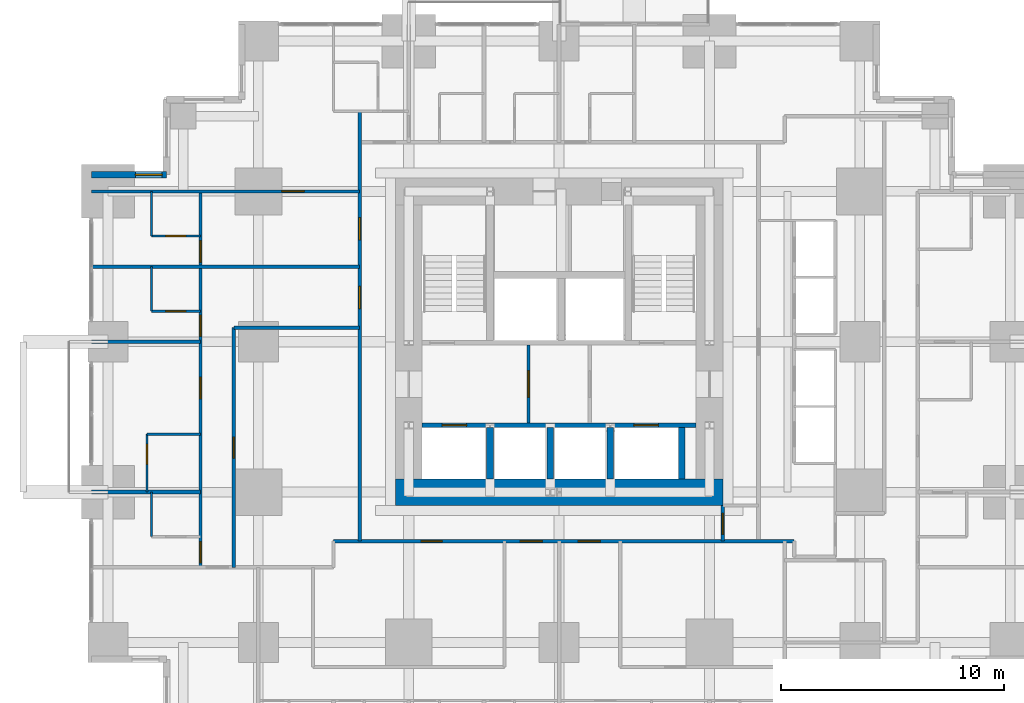
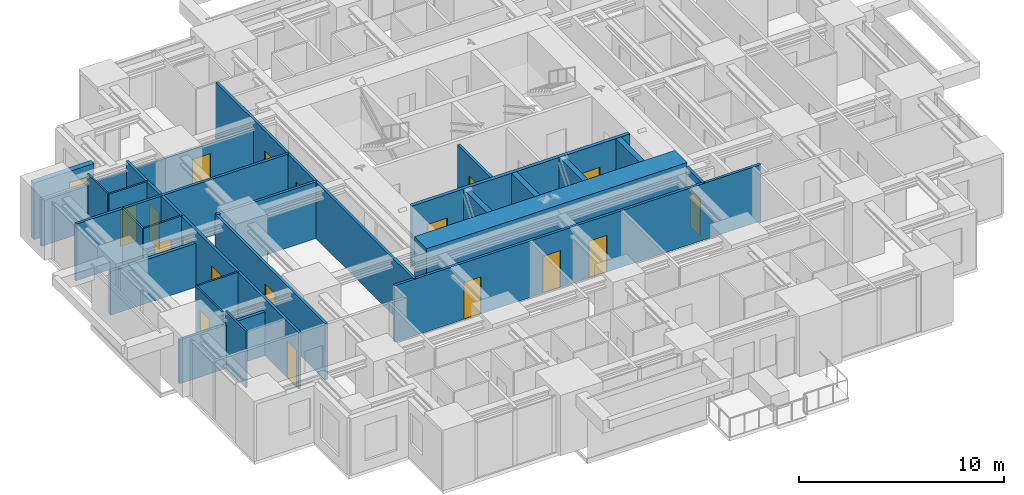
# One storey, part 8 of 13: 25 walls, 18 doors, 1 window, 19 openings.
"""IFC4 building model written with IfcOpenShell, lengths in metres."""

from ifc_helpers import new_model, si_unit, direction, frame, frame_2d, origin, place, context, subcontext, project, spatial, rectangle, extrude, material, layer, layer_set, type_object, element, fill, save


model = new_model("IFC4")

# Units and contexts
model_context = context("Model", 3, precision=1e-05, world=origin(), true_north=direction((0.0, 1.0)))
body_context = subcontext(model_context, "Body", "Model", "MODEL_VIEW")
ifc_project = project(units=[si_unit("LENGTHUNIT", "METRE"), si_unit("AREAUNIT", "SQUARE_METRE"), si_unit("VOLUMEUNIT", "CUBIC_METRE"), si_unit("PLANEANGLEUNIT", "RADIAN"), si_unit("MASSUNIT", "GRAM", prefix="KILO")], contexts=[model_context])

# Site, building, storey
site_placement = place(None, origin())
site = spatial("IfcSite", under=ifc_project, at=site_placement, CompositionType="ELEMENT")
building_placement = place(site_placement, origin())
building = spatial("IfcBuilding", under=site, at=building_placement, Name="Nyansa Garden Tower", CompositionType="ELEMENT")
storey_placement = place(building_placement, frame((0.0, 0.0, 83.699951171875)))
storey = spatial("IfcBuildingStorey", under=building, at=storey_placement, Name="L22", CompositionType="ELEMENT", Elevation=83.699951171875)

# Walls
ifc_material_1 = material(Name="Dense blockwork, plastered both sides, 55 dB", Category="masonry")
ifc_layer_1 = layer(ifc_material_1, 0.175048828125)
ifc_layer_set_1 = layer_set([ifc_layer_1], Name="Acoustic party wall PW175")
wall_type_1 = type_object("IfcWallType", Name="Acoustic party wall PW175", PredefinedType="PARTITIONING", material=ifc_layer_set_1)
for number, where, z_axis, x_axis, name in (
    (1, (-0.73388671875, 13.5, 0.0), (0.0, 0.0, 1.0), (1.0, 0.0, 0.0), "Party wall"),
    (2, (-0.73388671875, 20.25, 0.0), (0.0, 0.0, 1.0), (1.0, 0.0, 0.0), "Party wall"),
):
    element("IfcWall", number, at=place(storey_placement, frame(where, z_axis=z_axis, x_axis=x_axis)), inside=storey, type_object=wall_type_1, Name=name, PredefinedType="PARTITIONING", context=body_context, shape_type="SweptSolid", body=[
        extrude(rectangle(XDim=4.8837890625, YDim=0.175048828125, at=frame_2d((2.44189453125, 0.0))), origin(), (0.0, 0.0, 1.0), 2.610107421875),
    ])

# Wall, openings, doors
ifc_material_2 = material(Name="Concrete C70/85", Category="concrete")
ifc_layer_2 = layer(ifc_material_2, 0.199951171875)
ifc_layer_set_2 = layer_set([ifc_layer_2], Name="Core inner wall CI200")
wall_type_2 = type_object("IfcWallType", Name="Core inner wall CI200", PredefinedType="SHEAR", material=ifc_layer_set_2)
wall_1_placement = place(storey_placement, frame((14.10009765625, 16.5, 0.0), z_axis=(0.0, 0.0, 1.0), x_axis=(1.0, 0.0, 0.0)))
wall_1 = element("IfcWall", 3, at=wall_1_placement, inside=storey, type_object=wall_type_2, Name="Core inner wall L22", PredefinedType="SHEAR", context=body_context, shape_type="SweptSolid", body=[
    extrude(rectangle(XDim=12.2998046875, YDim=0.199951171875, at=frame_2d((6.14990234375, 0.0))), origin(), (0.0, 0.0, 1.0), 3.60009765625),
])
opening_1_placement = place(wall_1_placement, frame((0.89990234375, 0.0, 0.0)))
opening_1 = element("IfcOpeningElement", 4, at=opening_1_placement, cuts=wall_1, Name="Opening LD-F", PredefinedType="OPENING", context=body_context, shape_type="SweptSolid", body=[
    extrude(rectangle(XDim=1.10009765625, YDim=2.199951171875, at=frame_2d((0.550048828125, 1.10009765625))), frame((0.0, 0.10986328125, 0.0), z_axis=(0.0, -1.0, 0.0), x_axis=(1.0, 0.0, 0.0)), (0.0, 0.0, 1.0), 0.219970703125),
])
opening_2_placement = place(wall_1_placement, frame((9.5, 0.0, 0.0)))
opening_2 = element("IfcOpeningElement", 5, at=opening_2_placement, cuts=wall_1, Name="Opening LD-F", PredefinedType="OPENING", context=body_context, shape_type="SweptSolid", body=[
    extrude(rectangle(XDim=1.10009765625, YDim=2.199951171875, at=frame_2d((0.550048828125, 1.10009765625))), frame((0.0, 0.10986328125, 0.0), z_axis=(0.0, -1.0, 0.0), x_axis=(1.0, 0.0, 0.0)), (0.0, 0.0, 1.0), 0.219970703125),
])
ifc_material_3 = material(Name="Stainless steel centre-opening landing door of the firefighting lift, EN 81-72, E 120", Category="steel")
door_type_1 = type_object("IfcDoorType", Name="Lift landing door LD-F 1100x2200", OperationType="DOUBLE_DOOR_SLIDING", PredefinedType="DOOR", material=ifc_material_3)
door_1_placement = place(opening_1_placement, origin())
door_1 = element("IfcDoor", 6, at=door_1_placement, inside=storey, type_object=door_type_1, Name="Landing door FF1", OperationType="DOUBLE_DOOR_SLIDING", OverallHeight=2.199951171875, OverallWidth=1.10009765625, PredefinedType="DOOR", context=body_context, shape_type="SweptSolid", body=[
    extrude(rectangle(XDim=1.10009765625, YDim=2.199951171875, at=frame_2d((0.550048828125, 1.10009765625))), frame((0.0, 0.02490234375, 0.0), z_axis=(0.0, -1.0, 0.0), x_axis=(1.0, 0.0, 0.0)), (0.0, 0.0, 1.0), 0.050048828125),
])
fill(opening_1, door_1)
door_2_placement = place(opening_2_placement, origin())
door_2 = element("IfcDoor", 7, at=door_2_placement, inside=storey, type_object=door_type_1, Name="Landing door FF2", OperationType="DOUBLE_DOOR_SLIDING", OverallHeight=2.199951171875, OverallWidth=1.10009765625, PredefinedType="DOOR", context=body_context, shape_type="SweptSolid", body=[
    extrude(rectangle(XDim=1.10009765625, YDim=2.199951171875, at=frame_2d((0.550048828125, 1.10009765625))), frame((0.0, 0.02490234375, 0.0), z_axis=(0.0, -1.0, 0.0), x_axis=(1.0, 0.0, 0.0)), (0.0, 0.0, 1.0), 0.050048828125),
])
fill(opening_2, door_2)

# Walls
ifc_material_4 = material(Name="Concrete C70/85", Category="concrete")
ifc_layer_3 = layer(ifc_material_4, 0.300048828125)
ifc_layer_set_3 = layer_set([ifc_layer_3], Name="Core inner wall CI300")
wall_type_3 = type_object("IfcWallType", Name="Core inner wall CI300", PredefinedType="SHEAR", material=ifc_layer_set_3)
for number, where, z_axis, x_axis, name in (
    (8, (17.14990234375, 14.10009765625, 0.0), (0.0, 0.0, 1.0), (0.0, 1.0, 0.0), "Core inner wall L22"),
    (9, (19.85009765625, 14.10009765625, 0.0), (0.0, 0.0, 1.0), (0.0, 1.0, 0.0), "Core inner wall L22"),
    (10, (22.550048828125, 14.10009765625, 0.0), (0.0, 0.0, 1.0), (0.0, 1.0, 0.0), "Core inner wall L22"),
    (11, (25.75, 14.10009765625, 0.0), (0.0, 0.0, 1.0), (0.0, 1.0, 0.0), "Core inner wall L22"),
):
    element("IfcWall", number, at=place(storey_placement, frame(where, z_axis=z_axis, x_axis=x_axis)), inside=storey, type_object=wall_type_3, Name=name, PredefinedType="SHEAR", context=body_context, shape_type="SweptSolid", body=[
        extrude(rectangle(XDim=2.2998046875, YDim=0.300048828125, at=frame_2d((1.14990234375, 0.0))), origin(), (0.0, 0.0, 1.0), 3.60009765625),
    ])
ifc_material_5 = material(Name="Concrete C80/95", Category="concrete")
ifc_layer_4 = layer(ifc_material_5, 1.199951171875)
ifc_layer_set_4 = layer_set([ifc_layer_4], Name="Core wall CW1200")
wall_type_4 = type_object("IfcWallType", Name="Core wall CW1200", PredefinedType="SHEAR", material=ifc_layer_set_4)
wall_2_placement = place(storey_placement, frame((12.89990234375, 13.5, 0.0), z_axis=(0.0, 0.0, 1.0), x_axis=(1.0, 0.0, 0.0)))
element("IfcWall", 12, at=wall_2_placement, inside=storey, type_object=wall_type_4, Name="Core wall S L22", PredefinedType="SHEAR", context=body_context, shape_type="SweptSolid", body=[
    extrude(rectangle(XDim=14.7001953125, YDim=1.199951171875, at=frame_2d((7.35009765625, 0.0))), origin(), (0.0, 0.0, 1.0), 3.60009765625),
])

# Wall, opening, door
ifc_material_6 = material(Name="Blockwork, plastered both sides", Category="masonry")
ifc_layer_5 = layer(ifc_material_6, 0.14990234375)
ifc_layer_set_5 = layer_set([ifc_layer_5], Name="Partition PW150")
wall_type_5 = type_object("IfcWallType", Name="Partition PW150", PredefinedType="PARTITIONING", material=ifc_layer_set_5)
wall_3_placement = place(storey_placement, frame((18.875, 16.60009765625, 0.0), z_axis=(0.0, 0.0, 1.0), x_axis=(0.0, 1.0, 0.0)))
wall_3 = element("IfcWall", 13, at=wall_3_placement, inside=storey, type_object=wall_type_5, Name="Partition", PredefinedType="PARTITIONING", context=body_context, shape_type="SweptSolid", body=[
    extrude(rectangle(XDim=3.5, YDim=0.14990234375, at=frame_2d((1.75, 0.0))), origin(), (0.0, 0.0, 1.0), 3.375),
])
opening_3_placement = place(wall_3_placement, frame((1.14990234375, 0.0, 0.0)))
opening_3 = element("IfcOpeningElement", 14, at=opening_3_placement, cuts=wall_3, Name="Opening D06", PredefinedType="OPENING", context=body_context, shape_type="SweptSolid", body=[
    extrude(rectangle(XDim=1.199951171875, YDim=2.199951171875, at=frame_2d((0.60009765625, 1.10009765625))), frame((0.0, 0.0849609375, 0.0), z_axis=(0.0, -1.0, 0.0), x_axis=(1.0, 0.0, 0.0)), (0.0, 0.0, 1.0), 0.169921875),
])
ifc_material_7 = material(Name="Steel door, 120 minute fire resisting", Category="steel")
door_type_2 = type_object("IfcDoorType", Name="Lobby door D06 1200x2200", OperationType="DOUBLE_DOOR_SINGLE_SWING", PredefinedType="DOOR", material=ifc_material_7)
door_3_placement = place(opening_3_placement, origin())
door_3 = element("IfcDoor", 15, at=door_3_placement, inside=storey, type_object=door_type_2, Name="Passenger lift lobby door", OperationType="DOUBLE_DOOR_SINGLE_SWING", OverallHeight=2.199951171875, OverallWidth=1.199951171875, PredefinedType="DOOR", context=body_context, shape_type="SweptSolid", body=[
    extrude(rectangle(XDim=1.199951171875, YDim=2.199951171875, at=frame_2d((0.60009765625, 1.10009765625))), frame((0.0, 0.02490234375, 0.0), z_axis=(0.0, -1.0, 0.0), x_axis=(1.0, 0.0, 0.0)), (0.0, 0.0, 1.0), 0.050048828125),
])
fill(opening_3, door_3)

# Wall
wall_4_placement = place(storey_placement, frame((-0.73388671875, 23.625, 0.0), z_axis=(0.0, 0.0, 1.0), x_axis=(1.0, 0.0, 0.0)))
element("IfcWall", 16, at=wall_4_placement, inside=storey, type_object=wall_type_5, Name="Partition", PredefinedType="PARTITIONING", context=body_context, shape_type="SweptSolid", body=[
    extrude(rectangle(XDim=12.033935546875, YDim=0.14990234375, at=frame_2d((6.01708984375, 0.0))), origin(), (0.0, 0.0, 1.0), 3.375),
])

# Wall, opening, door
wall_5_placement = place(storey_placement, frame((-0.73388671875, 27.0, 0.0), z_axis=(0.0, 0.0, 1.0), x_axis=(1.0, 0.0, 0.0)))
wall_5 = element("IfcWall", 17, at=wall_5_placement, inside=storey, type_object=wall_type_5, Name="Partition", PredefinedType="PARTITIONING", context=body_context, shape_type="SweptSolid", body=[
    extrude(rectangle(XDim=12.033935546875, YDim=0.14990234375, at=frame_2d((6.01708984375, 0.0))), origin(), (0.0, 0.0, 1.0), 2.80615234375),
])
opening_4_placement = place(wall_5_placement, frame((8.533935546875, 0.0, 0.0)))
opening_4 = element("IfcOpeningElement", 18, at=opening_4_placement, cuts=wall_5, Name="Opening D03", PredefinedType="OPENING", context=body_context, shape_type="SweptSolid", body=[
    extrude(rectangle(XDim=1.0, YDim=2.199951171875, at=frame_2d((0.5, 1.10009765625))), frame((0.0, 0.0849609375, 0.0), z_axis=(0.0, -1.0, 0.0), x_axis=(1.0, 0.0, 0.0)), (0.0, 0.0, 1.0), 0.169921875),
])
ifc_material_8 = material(Name="Timber flush door, 60 minute fire resisting", Category="wood")
door_type_3 = type_object("IfcDoorType", Name="Cluster entrance door D03 1000x2200", OperationType="SINGLE_SWING_LEFT", PredefinedType="DOOR", material=ifc_material_8)
door_4_placement = place(opening_4_placement, origin())
door_4 = element("IfcDoor", 19, at=door_4_placement, inside=storey, type_object=door_type_3, Name="Door L22-054", OperationType="SINGLE_SWING_LEFT", OverallHeight=2.199951171875, OverallWidth=1.0, PredefinedType="DOOR", context=body_context, shape_type="SweptSolid", body=[
    extrude(rectangle(XDim=1.0, YDim=2.199951171875, at=frame_2d((0.5, 1.10009765625))), frame((0.0, 0.02490234375, 0.0), z_axis=(0.0, -1.0, 0.0), x_axis=(1.0, 0.0, 0.0)), (0.0, 0.0, 1.0), 0.050048828125),
])
fill(opening_4, door_4)

# Wall, openings, doors
wall_6_placement = place(storey_placement, frame((4.14990234375, 10.125, 0.0), z_axis=(0.0, 0.0, 1.0), x_axis=(0.0, 1.0, 0.0)))
wall_6 = element("IfcWall", 20, at=wall_6_placement, inside=storey, type_object=wall_type_5, Name="Partition", PredefinedType="PARTITIONING", context=body_context, shape_type="SweptSolid", body=[
    extrude(rectangle(XDim=16.875, YDim=0.14990234375, at=frame_2d((8.4375, 0.0))), origin(), (0.0, 0.0, 1.0), 3.375),
])
opening_5_placement = place(wall_6_placement, frame((13.699951171875, 0.0, 0.0)))
opening_5 = element("IfcOpeningElement", 21, at=opening_5_placement, cuts=wall_6, Name="Opening D01", PredefinedType="OPENING", context=body_context, shape_type="SweptSolid", body=[
    extrude(rectangle(XDim=0.949951171875, YDim=2.199951171875, at=frame_2d((0.47509765625, 1.10009765625))), frame((0.0, 0.0849609375, 0.0), z_axis=(0.0, -1.0, 0.0), x_axis=(1.0, 0.0, 0.0)), (0.0, 0.0, 1.0), 0.169921875),
])
opening_6_placement = place(wall_6_placement, frame((7.574951171875, 0.0, 0.0)))
opening_6 = element("IfcOpeningElement", 22, at=opening_6_placement, cuts=wall_6, Name="Opening D14", PredefinedType="OPENING", context=body_context, shape_type="SweptSolid", body=[
    extrude(rectangle(XDim=0.949951171875, YDim=2.199951171875, at=frame_2d((0.47509765625, 1.10009765625))), frame((0.0, 0.0849609375, 0.0), z_axis=(0.0, -1.0, 0.0), x_axis=(1.0, 0.0, 0.0)), (0.0, 0.0, 1.0), 0.169921875),
])
opening_7_placement = place(wall_6_placement, frame((0.199951171875, 0.0, 0.0)))
opening_7 = element("IfcOpeningElement", 23, at=opening_7_placement, cuts=wall_6, Name="Opening D14", PredefinedType="OPENING", context=body_context, shape_type="SweptSolid", body=[
    extrude(rectangle(XDim=0.949951171875, YDim=2.199951171875, at=frame_2d((0.47509765625, 1.10009765625))), frame((0.0, 0.0849609375, 0.0), z_axis=(0.0, -1.0, 0.0), x_axis=(1.0, 0.0, 0.0)), (0.0, 0.0, 1.0), 0.169921875),
])
opening_8_placement = place(wall_6_placement, frame((10.375, 0.0, 0.0)))
opening_8 = element("IfcOpeningElement", 24, at=opening_8_placement, cuts=wall_6, Name="Opening D14", PredefinedType="OPENING", context=body_context, shape_type="SweptSolid", body=[
    extrude(rectangle(XDim=0.949951171875, YDim=2.199951171875, at=frame_2d((0.47509765625, 1.10009765625))), frame((0.0, 0.0849609375, 0.0), z_axis=(0.0, -1.0, 0.0), x_axis=(1.0, 0.0, 0.0)), (0.0, 0.0, 1.0), 0.169921875),
])
ifc_material_9 = material(Name="Timber flush door, 30 minute fire resisting", Category="wood")
door_type_4 = type_object("IfcDoorType", Name="Bedroom door D01 950x2200", OperationType="SINGLE_SWING_LEFT", PredefinedType="DOOR", material=ifc_material_9)
door_5_placement = place(opening_5_placement, origin())
door_5 = element("IfcDoor", 25, at=door_5_placement, inside=storey, type_object=door_type_4, Name="Door L22-055", OperationType="SINGLE_SWING_LEFT", OverallHeight=2.199951171875, OverallWidth=0.949951171875, PredefinedType="DOOR", context=body_context, shape_type="SweptSolid", body=[
    extrude(rectangle(XDim=0.949951171875, YDim=2.199951171875, at=frame_2d((0.47509765625, 1.10009765625))), frame((0.0, 0.02490234375, 0.0), z_axis=(0.0, -1.0, 0.0), x_axis=(1.0, 0.0, 0.0)), (0.0, 0.0, 1.0), 0.050048828125),
])
fill(opening_5, door_5)
ifc_material_10 = material(Name="Timber flush door, 60 minute fire resisting, self-closing", Category="wood")
door_type_5 = type_object("IfcDoorType", Name="Studio entrance door D14 950x2200", OperationType="SINGLE_SWING_LEFT", PredefinedType="DOOR", material=ifc_material_10)
door_6_placement = place(opening_6_placement, origin())
door_6 = element("IfcDoor", 26, at=door_6_placement, inside=storey, type_object=door_type_5, Name="Door L22-058", OperationType="SINGLE_SWING_LEFT", OverallHeight=2.199951171875, OverallWidth=0.949951171875, PredefinedType="DOOR", context=body_context, shape_type="SweptSolid", body=[
    extrude(rectangle(XDim=0.949951171875, YDim=2.199951171875, at=frame_2d((0.47509765625, 1.10009765625))), frame((0.0, 0.02490234375, 0.0), z_axis=(0.0, -1.0, 0.0), x_axis=(1.0, 0.0, 0.0)), (0.0, 0.0, 1.0), 0.050048828125),
])
fill(opening_6, door_6)
door_7_placement = place(opening_7_placement, origin())
door_7 = element("IfcDoor", 27, at=door_7_placement, inside=storey, type_object=door_type_5, Name="Door L22-060", OperationType="SINGLE_SWING_LEFT", OverallHeight=2.199951171875, OverallWidth=0.949951171875, PredefinedType="DOOR", context=body_context, shape_type="SweptSolid", body=[
    extrude(rectangle(XDim=0.949951171875, YDim=2.199951171875, at=frame_2d((0.47509765625, 1.10009765625))), frame((0.0, 0.02490234375, 0.0), z_axis=(0.0, -1.0, 0.0), x_axis=(1.0, 0.0, 0.0)), (0.0, 0.0, 1.0), 0.050048828125),
])
fill(opening_7, door_7)
door_8_placement = place(opening_8_placement, origin())
door_8 = element("IfcDoor", 28, at=door_8_placement, inside=storey, type_object=door_type_5, Name="Door L22-062", OperationType="SINGLE_SWING_LEFT", OverallHeight=2.199951171875, OverallWidth=0.949951171875, PredefinedType="DOOR", context=body_context, shape_type="SweptSolid", body=[
    extrude(rectangle(XDim=0.949951171875, YDim=2.199951171875, at=frame_2d((0.47509765625, 1.10009765625))), frame((0.0, 0.02490234375, 0.0), z_axis=(0.0, -1.0, 0.0), x_axis=(1.0, 0.0, 0.0)), (0.0, 0.0, 1.0), 0.050048828125),
])
fill(opening_8, door_8)

# Wall, opening, door
wall_7_placement = place(storey_placement, frame((5.64990234375, 10.125, 0.0), z_axis=(0.0, 0.0, 1.0), x_axis=(0.0, 1.0, 0.0)))
wall_7 = element("IfcWall", 29, at=wall_7_placement, inside=storey, type_object=wall_type_5, Name="Partition", PredefinedType="PARTITIONING", context=body_context, shape_type="SweptSolid", body=[
    extrude(rectangle(XDim=10.762451171875, YDim=0.14990234375, at=frame_2d((5.38134765625, 0.0))), origin(), (0.0, 0.0, 1.0), 3.375),
])
opening_9_placement = place(wall_7_placement, frame((4.89990234375, 0.0, 0.0)))
opening_9 = element("IfcOpeningElement", 30, at=opening_9_placement, cuts=wall_7, Name="Opening D01", PredefinedType="OPENING", context=body_context, shape_type="SweptSolid", body=[
    extrude(rectangle(XDim=0.949951171875, YDim=2.199951171875, at=frame_2d((0.47509765625, 1.10009765625))), frame((0.0, 0.0849609375, 0.0), z_axis=(0.0, -1.0, 0.0), x_axis=(1.0, 0.0, 0.0)), (0.0, 0.0, 1.0), 0.169921875),
])
door_9_placement = place(opening_9_placement, origin())
door_9 = element("IfcDoor", 31, at=door_9_placement, inside=storey, type_object=door_type_4, Name="Door L22-065", OperationType="SINGLE_SWING_LEFT", OverallHeight=2.199951171875, OverallWidth=0.949951171875, PredefinedType="DOOR", context=body_context, shape_type="SweptSolid", body=[
    extrude(rectangle(XDim=0.949951171875, YDim=2.199951171875, at=frame_2d((0.47509765625, 1.10009765625))), frame((0.0, 0.02490234375, 0.0), z_axis=(0.0, -1.0, 0.0), x_axis=(1.0, 0.0, 0.0)), (0.0, 0.0, 1.0), 0.050048828125),
])
fill(opening_9, door_9)

# Wall
wall_8_placement = place(storey_placement, frame((5.64990234375, 20.886962890625, 0.0), z_axis=(0.0, 0.0, 1.0), x_axis=(1.0, 0.0, 0.0)))
element("IfcWall", 32, at=wall_8_placement, inside=storey, type_object=wall_type_5, Name="Partition", PredefinedType="PARTITIONING", context=body_context, shape_type="SweptSolid", body=[
    extrude(rectangle(XDim=5.650146484375, YDim=0.14990234375, at=frame_2d((2.8251953125, 0.0))), origin(), (0.0, 0.0, 1.0), 3.375),
])

# Wall, openings, doors
wall_9_placement = place(storey_placement, frame((10.125, 11.300048828125, 0.0), z_axis=(0.0, 0.0, 1.0), x_axis=(1.0, 0.0, 0.0)))
wall_9 = element("IfcWall", 33, at=wall_9_placement, inside=storey, type_object=wall_type_5, Name="Partition", PredefinedType="PARTITIONING", context=body_context, shape_type="SweptSolid", body=[
    extrude(rectangle(XDim=20.675048828125, YDim=0.14990234375, at=frame_2d((10.33740234375, 0.0))), origin(), (0.0, 0.0, 1.0), 3.375),
])
opening_10_placement = place(wall_9_placement, frame((8.375, 0.0, 0.0)))
opening_10 = element("IfcOpeningElement", 34, at=opening_10_placement, cuts=wall_9, Name="Opening D03", PredefinedType="OPENING", context=body_context, shape_type="SweptSolid", body=[
    extrude(rectangle(XDim=1.0, YDim=2.199951171875, at=frame_2d((0.5, 1.10009765625))), frame((0.0, 0.0849609375, 0.0), z_axis=(0.0, -1.0, 0.0), x_axis=(1.0, 0.0, 0.0)), (0.0, 0.0, 1.0), 0.169921875),
])
opening_11_placement = place(wall_9_placement, frame((10.97509765625, 0.0, 0.0)))
opening_11 = element("IfcOpeningElement", 35, at=opening_11_placement, cuts=wall_9, Name="Opening D03", PredefinedType="OPENING", context=body_context, shape_type="SweptSolid", body=[
    extrude(rectangle(XDim=1.0, YDim=2.199951171875, at=frame_2d((0.5, 1.10009765625))), frame((0.0, 0.0849609375, 0.0), z_axis=(0.0, -1.0, 0.0), x_axis=(1.0, 0.0, 0.0)), (0.0, 0.0, 1.0), 0.169921875),
])
opening_12_placement = place(wall_9_placement, frame((3.925048828125, 0.0, 0.0)))
opening_12 = element("IfcOpeningElement", 36, at=opening_12_placement, cuts=wall_9, Name="Opening D01", PredefinedType="OPENING", context=body_context, shape_type="SweptSolid", body=[
    extrude(rectangle(XDim=0.949951171875, YDim=2.199951171875, at=frame_2d((0.47509765625, 1.10009765625))), frame((0.0, 0.0849609375, 0.0), z_axis=(0.0, -1.0, 0.0), x_axis=(1.0, 0.0, 0.0)), (0.0, 0.0, 1.0), 0.169921875),
])
door_10_placement = place(opening_12_placement, origin())
door_10 = element("IfcDoor", 37, at=door_10_placement, inside=storey, type_object=door_type_4, Name="Door L22-032", OperationType="SINGLE_SWING_LEFT", OverallHeight=2.199951171875, OverallWidth=0.949951171875, PredefinedType="DOOR", context=body_context, shape_type="SweptSolid", body=[
    extrude(rectangle(XDim=0.949951171875, YDim=2.199951171875, at=frame_2d((0.47509765625, 1.10009765625))), frame((0.0, 0.02490234375, 0.0), z_axis=(0.0, -1.0, 0.0), x_axis=(1.0, 0.0, 0.0)), (0.0, 0.0, 1.0), 0.050048828125),
])
fill(opening_12, door_10)
door_11_placement = place(opening_10_placement, origin())
door_11 = element("IfcDoor", 38, at=door_11_placement, inside=storey, type_object=door_type_3, Name="Door L22-026", OperationType="SINGLE_SWING_LEFT", OverallHeight=2.199951171875, OverallWidth=1.0, PredefinedType="DOOR", context=body_context, shape_type="SweptSolid", body=[
    extrude(rectangle(XDim=1.0, YDim=2.199951171875, at=frame_2d((0.5, 1.10009765625))), frame((0.0, 0.02490234375, 0.0), z_axis=(0.0, -1.0, 0.0), x_axis=(1.0, 0.0, 0.0)), (0.0, 0.0, 1.0), 0.050048828125),
])
fill(opening_10, door_11)
door_12_placement = place(opening_11_placement, origin())
door_12 = element("IfcDoor", 39, at=door_12_placement, inside=storey, type_object=door_type_3, Name="Door L22-031", OperationType="SINGLE_SWING_LEFT", OverallHeight=2.199951171875, OverallWidth=1.0, PredefinedType="DOOR", context=body_context, shape_type="SweptSolid", body=[
    extrude(rectangle(XDim=1.0, YDim=2.199951171875, at=frame_2d((0.5, 1.10009765625))), frame((0.0, 0.02490234375, 0.0), z_axis=(0.0, -1.0, 0.0), x_axis=(1.0, 0.0, 0.0)), (0.0, 0.0, 1.0), 0.050048828125),
])
fill(opening_11, door_12)

wall_10_placement = place(storey_placement, frame((11.300048828125, 11.300048828125, 0.0), z_axis=(0.0, 0.0, 1.0), x_axis=(0.0, 1.0, 0.0)))
wall_10 = element("IfcWall", 40, at=wall_10_placement, inside=storey, type_object=wall_type_5, Name="Partition", PredefinedType="PARTITIONING", context=body_context, shape_type="SweptSolid", body=[
    extrude(rectangle(XDim=19.300048828125, YDim=0.14990234375, at=frame_2d((9.64990234375, 0.0))), origin(), (0.0, 0.0, 1.0), 3.375),
])
opening_13_placement = place(wall_10_placement, frame((13.52490234375, 0.0, 0.0)))
opening_13 = element("IfcOpeningElement", 41, at=opening_13_placement, cuts=wall_10, Name="Opening D03", PredefinedType="OPENING", context=body_context, shape_type="SweptSolid", body=[
    extrude(rectangle(XDim=1.0, YDim=2.199951171875, at=frame_2d((0.5, 1.10009765625))), frame((0.0, 0.0849609375, 0.0), z_axis=(0.0, -1.0, 0.0), x_axis=(1.0, 0.0, 0.0)), (0.0, 0.0, 1.0), 0.169921875),
])
opening_14_placement = place(wall_10_placement, frame((10.4375, 0.0, 0.0)))
opening_14 = element("IfcOpeningElement", 42, at=opening_14_placement, cuts=wall_10, Name="Opening D03", PredefinedType="OPENING", context=body_context, shape_type="SweptSolid", body=[
    extrude(rectangle(XDim=1.0, YDim=2.199951171875, at=frame_2d((0.5, 1.10009765625))), frame((0.0, 0.0849609375, 0.0), z_axis=(0.0, -1.0, 0.0), x_axis=(1.0, 0.0, 0.0)), (0.0, 0.0, 1.0), 0.169921875),
])
door_13_placement = place(opening_13_placement, origin())
door_13 = element("IfcDoor", 43, at=door_13_placement, inside=storey, type_object=door_type_3, Name="Door L22-057", OperationType="SINGLE_SWING_LEFT", OverallHeight=2.199951171875, OverallWidth=1.0, PredefinedType="DOOR", context=body_context, shape_type="SweptSolid", body=[
    extrude(rectangle(XDim=1.0, YDim=2.199951171875, at=frame_2d((0.5, 1.10009765625))), frame((0.0, 0.02490234375, 0.0), z_axis=(0.0, -1.0, 0.0), x_axis=(1.0, 0.0, 0.0)), (0.0, 0.0, 1.0), 0.050048828125),
])
fill(opening_13, door_13)
door_14_placement = place(opening_14_placement, origin())
door_14 = element("IfcDoor", 44, at=door_14_placement, inside=storey, type_object=door_type_3, Name="Door L22-064", OperationType="SINGLE_SWING_LEFT", OverallHeight=2.199951171875, OverallWidth=1.0, PredefinedType="DOOR", context=body_context, shape_type="SweptSolid", body=[
    extrude(rectangle(XDim=1.0, YDim=2.199951171875, at=frame_2d((0.5, 1.10009765625))), frame((0.0, 0.02490234375, 0.0), z_axis=(0.0, -1.0, 0.0), x_axis=(1.0, 0.0, 0.0)), (0.0, 0.0, 1.0), 0.050048828125),
])
fill(opening_14, door_14)

# Wall, opening, door
wall_11_placement = place(storey_placement, frame((27.60009765625, 11.300048828125, 0.0), z_axis=(0.0, 0.0, 1.0), x_axis=(0.0, 1.0, 0.0)))
wall_11 = element("IfcWall", 45, at=wall_11_placement, inside=storey, type_object=wall_type_5, Name="Partition", PredefinedType="PARTITIONING", context=body_context, shape_type="SweptSolid", body=[
    extrude(rectangle(XDim=1.599853515625, YDim=0.14990234375, at=frame_2d((0.7998046875, 0.0))), origin(), (0.0, 0.0, 1.0), 3.375),
])
opening_15_placement = place(wall_11_placement, frame((0.300048828125, 0.0, 0.0)))
opening_15 = element("IfcOpeningElement", 46, at=opening_15_placement, cuts=wall_11, Name="Opening D01", PredefinedType="OPENING", context=body_context, shape_type="SweptSolid", body=[
    extrude(rectangle(XDim=0.949951171875, YDim=2.199951171875, at=frame_2d((0.47509765625, 1.10009765625))), frame((0.0, 0.0849609375, 0.0), z_axis=(0.0, -1.0, 0.0), x_axis=(1.0, 0.0, 0.0)), (0.0, 0.0, 1.0), 0.169921875),
])
door_15_placement = place(opening_15_placement, origin())
door_15 = element("IfcDoor", 47, at=door_15_placement, inside=storey, type_object=door_type_4, Name="Door L22-016", OperationType="SINGLE_SWING_LEFT", OverallHeight=2.199951171875, OverallWidth=0.949951171875, PredefinedType="DOOR", context=body_context, shape_type="SweptSolid", body=[
    extrude(rectangle(XDim=0.949951171875, YDim=2.199951171875, at=frame_2d((0.47509765625, 1.10009765625))), frame((0.0, 0.02490234375, 0.0), z_axis=(0.0, -1.0, 0.0), x_axis=(1.0, 0.0, 0.0)), (0.0, 0.0, 1.0), 0.050048828125),
])
fill(opening_15, door_15)

# Wall, opening, window
ifc_material_11 = material(Name="Turquoise glazed tile on concrete blockwork", Category="masonry")
ifc_layer_6 = layer(ifc_material_11, 0.300048828125)
ifc_layer_set_6 = layer_set([ifc_layer_6], Name="Tiled corner wall TW300")
wall_type_6 = type_object("IfcWallType", Name="Tiled corner wall TW300", PredefinedType="SOLIDWALL", material=ifc_layer_set_6)
wall_12_placement = place(storey_placement, frame((2.625, 27.75, 0.0), z_axis=(0.0, 0.0, 1.0), x_axis=(-1.0, 0.0, 0.0)))
wall_12 = element("IfcWall", 48, at=wall_12_placement, inside=storey, type_object=wall_type_6, Name="Tiled corner wall L22", PredefinedType="SOLIDWALL", context=body_context, shape_type="SweptSolid", body=[
    extrude(rectangle(XDim=3.375, YDim=0.300048828125, at=frame_2d((1.6875, 0.0))), origin(), (0.0, 0.0, 1.0), 3.375),
])
opening_16_placement = place(wall_12_placement, frame((0.1923828125, 0.0, 0.89990234375)))
opening_16 = element("IfcOpeningElement", 49, at=opening_16_placement, cuts=wall_12, Name="Opening W4", PredefinedType="OPENING", context=body_context, shape_type="SweptSolid", body=[
    extrude(rectangle(XDim=1.199951171875, YDim=1.800048828125, at=frame_2d((0.60009765625, 0.89990234375))), frame((0.0, 0.159912109375, 0.0), z_axis=(0.0, -1.0, 0.0), x_axis=(1.0, 0.0, 0.0)), (0.0, 0.0, 1.0), 0.320068359375),
])
ifc_material_12 = material(Name="Black aluminium frame, dark tinted double glazing", Category="aluminium")
window_type = type_object("IfcWindowType", Name="Window W4 1200x1800", PartitioningType="SINGLE_PANEL", PredefinedType="WINDOW", material=ifc_material_12)
window_placement = place(opening_16_placement, origin())
window = element("IfcWindow", 50, at=window_placement, inside=storey, type_object=window_type, Name="Corner window L22", OverallHeight=1.800048828125, OverallWidth=1.199951171875, PartitioningType="SINGLE_PANEL", PredefinedType="WINDOW", context=body_context, shape_type="SweptSolid", body=[
    extrude(rectangle(XDim=1.199951171875, YDim=1.800048828125, at=frame_2d((0.60009765625, 0.89990234375))), frame((0.0, 0.030029296875, 0.0), z_axis=(0.0, -1.0, 0.0), x_axis=(1.0, 0.0, 0.0)), (0.0, 0.0, 1.0), 0.06005859375),
])
fill(opening_16, window)

# Wall, opening, door
ifc_material_13 = material(Name="Moisture resistant board on steel studs, tiled", Category="steel")
ifc_layer_7 = layer(ifc_material_13, 0.10009765625)
ifc_layer_set_7 = layer_set([ifc_layer_7], Name="Wet wall PW100")
wall_type_7 = type_object("IfcWallType", Name="Wet wall PW100", PredefinedType="PARTITIONING", material=ifc_layer_set_7)
wall_13_placement = place(storey_placement, frame((1.75, 13.5, 0.0), z_axis=(0.0, 0.0, 1.0), x_axis=(0.0, 1.0, 0.0)))
wall_13 = element("IfcWall", 51, at=wall_13_placement, inside=storey, type_object=wall_type_7, Name="Wet wall", PredefinedType="PARTITIONING", context=body_context, shape_type="SweptSolid", body=[
    extrude(rectangle(XDim=2.60009765625, YDim=0.10009765625, at=frame_2d((1.300048828125, 0.0))), origin(), (0.0, 0.0, 1.0), 3.375),
])
opening_17_placement = place(wall_13_placement, frame((1.25, 0.0, 0.0)))
opening_17 = element("IfcOpeningElement", 52, at=opening_17_placement, cuts=wall_13, Name="Opening D02", PredefinedType="OPENING", context=body_context, shape_type="SweptSolid", body=[
    extrude(rectangle(XDim=0.89990234375, YDim=2.199951171875, at=frame_2d((0.449951171875, 1.10009765625))), frame((0.0, 0.06005859375, 0.0), z_axis=(0.0, -1.0, 0.0), x_axis=(1.0, 0.0, 0.0)), (0.0, 0.0, 1.0), 0.1201171875),
])
ifc_material_14 = material(Name="Timber flush door", Category="wood")
door_type_6 = type_object("IfcDoorType", Name="En-suite door D02 900x2200", OperationType="SINGLE_SWING_RIGHT", PredefinedType="DOOR", material=ifc_material_14)
door_16_placement = place(opening_17_placement, origin())
door_16 = element("IfcDoor", 53, at=door_16_placement, inside=storey, type_object=door_type_6, Name="Door L22-059", OperationType="SINGLE_SWING_RIGHT", OverallHeight=2.199951171875, OverallWidth=0.89990234375, PredefinedType="DOOR", context=body_context, shape_type="SweptSolid", body=[
    extrude(rectangle(XDim=0.89990234375, YDim=2.199951171875, at=frame_2d((0.449951171875, 1.10009765625))), frame((0.0, 0.02490234375, 0.0), z_axis=(0.0, -1.0, 0.0), x_axis=(1.0, 0.0, 0.0)), (0.0, 0.0, 1.0), 0.050048828125),
])
fill(opening_17, door_16)

# Walls
wall_14_placement = place(storey_placement, frame((1.75, 16.10009765625, 0.0), z_axis=(0.0, 0.0, 1.0), x_axis=(1.0, 0.0, 0.0)))
element("IfcWall", 54, at=wall_14_placement, inside=storey, type_object=wall_type_7, Name="Wet wall", PredefinedType="PARTITIONING", context=body_context, shape_type="SweptSolid", body=[
    extrude(rectangle(XDim=2.39990234375, YDim=0.10009765625, at=frame_2d((1.199951171875, 0.0))), origin(), (0.0, 0.0, 1.0), 3.375),
])
for number, where, z_axis, x_axis, name in (
    (55, (1.949951171875, 11.5, 0.0), (0.0, 0.0, 1.0), (0.0, 1.0, 0.0), "Wet wall"),
    (56, (1.949951171875, 21.625, 0.0), (0.0, 0.0, 1.0), (0.0, 1.0, 0.0), "Wet wall"),
):
    element("IfcWall", number, at=place(storey_placement, frame(where, z_axis=z_axis, x_axis=x_axis)), inside=storey, type_object=wall_type_7, Name=name, PredefinedType="PARTITIONING", context=body_context, shape_type="SweptSolid", body=[
        extrude(rectangle(XDim=2.0, YDim=0.10009765625, at=frame_2d((1.0, 0.0))), origin(), (0.0, 0.0, 1.0), 3.375),
    ])

# Wall, opening, door
wall_15_placement = place(storey_placement, frame((1.949951171875, 21.625, 0.0), z_axis=(0.0, 0.0, 1.0), x_axis=(1.0, 0.0, 0.0)))
wall_15 = element("IfcWall", 57, at=wall_15_placement, inside=storey, type_object=wall_type_7, Name="Wet wall", PredefinedType="PARTITIONING", context=body_context, shape_type="SweptSolid", body=[
    extrude(rectangle(XDim=2.199951171875, YDim=0.10009765625, at=frame_2d((1.10009765625, 0.0))), origin(), (0.0, 0.0, 1.0), 3.375),
])
opening_18_placement = place(wall_15_placement, frame((0.64990234375, 0.0, 0.0)))
opening_18 = element("IfcOpeningElement", 58, at=opening_18_placement, cuts=wall_15, Name="Opening D02", PredefinedType="OPENING", context=body_context, shape_type="SweptSolid", body=[
    extrude(rectangle(XDim=0.89990234375, YDim=2.199951171875, at=frame_2d((0.449951171875, 1.10009765625))), frame((0.0, 0.06005859375, 0.0), z_axis=(0.0, -1.0, 0.0), x_axis=(1.0, 0.0, 0.0)), (0.0, 0.0, 1.0), 0.1201171875),
])
door_17_placement = place(opening_18_placement, origin())
door_17 = element("IfcDoor", 59, at=door_17_placement, inside=storey, type_object=door_type_6, Name="Door L22-063", OperationType="SINGLE_SWING_RIGHT", OverallHeight=2.199951171875, OverallWidth=0.89990234375, PredefinedType="DOOR", context=body_context, shape_type="SweptSolid", body=[
    extrude(rectangle(XDim=0.89990234375, YDim=2.199951171875, at=frame_2d((0.449951171875, 1.10009765625))), frame((0.0, 0.02490234375, 0.0), z_axis=(0.0, -1.0, 0.0), x_axis=(1.0, 0.0, 0.0)), (0.0, 0.0, 1.0), 0.050048828125),
])
fill(opening_18, door_17)

# Wall
wall_16_placement = place(storey_placement, frame((1.949951171875, 25.0, 0.0), z_axis=(0.0, 0.0, 1.0), x_axis=(0.0, 1.0, 0.0)))
element("IfcWall", 60, at=wall_16_placement, inside=storey, type_object=wall_type_7, Name="Wet wall", PredefinedType="PARTITIONING", context=body_context, shape_type="SweptSolid", body=[
    extrude(rectangle(XDim=2.0, YDim=0.10009765625, at=frame_2d((1.0, 0.0))), origin(), (0.0, 0.0, 1.0), 3.375),
])

# Wall, opening, door
wall_17_placement = place(storey_placement, frame((1.949951171875, 25.0, 0.0), z_axis=(0.0, 0.0, 1.0), x_axis=(1.0, 0.0, 0.0)))
wall_17 = element("IfcWall", 61, at=wall_17_placement, inside=storey, type_object=wall_type_7, Name="Wet wall", PredefinedType="PARTITIONING", context=body_context, shape_type="SweptSolid", body=[
    extrude(rectangle(XDim=2.199951171875, YDim=0.10009765625, at=frame_2d((1.10009765625, 0.0))), origin(), (0.0, 0.0, 1.0), 3.375),
])
opening_19_placement = place(wall_17_placement, frame((0.64990234375, 0.0, 0.0)))
opening_19 = element("IfcOpeningElement", 62, at=opening_19_placement, cuts=wall_17, Name="Opening D02", PredefinedType="OPENING", context=body_context, shape_type="SweptSolid", body=[
    extrude(rectangle(XDim=0.89990234375, YDim=2.199951171875, at=frame_2d((0.449951171875, 1.10009765625))), frame((0.0, 0.06005859375, 0.0), z_axis=(0.0, -1.0, 0.0), x_axis=(1.0, 0.0, 0.0)), (0.0, 0.0, 1.0), 0.1201171875),
])
door_18_placement = place(opening_19_placement, origin())
door_18 = element("IfcDoor", 63, at=door_18_placement, inside=storey, type_object=door_type_6, Name="Door L22-056", OperationType="SINGLE_SWING_RIGHT", OverallHeight=2.199951171875, OverallWidth=0.89990234375, PredefinedType="DOOR", context=body_context, shape_type="SweptSolid", body=[
    extrude(rectangle(XDim=0.89990234375, YDim=2.199951171875, at=frame_2d((0.449951171875, 1.10009765625))), frame((0.0, 0.02490234375, 0.0), z_axis=(0.0, -1.0, 0.0), x_axis=(1.0, 0.0, 0.0)), (0.0, 0.0, 1.0), 0.050048828125),
])
fill(opening_19, door_18)

save(model, "model.ifc")
